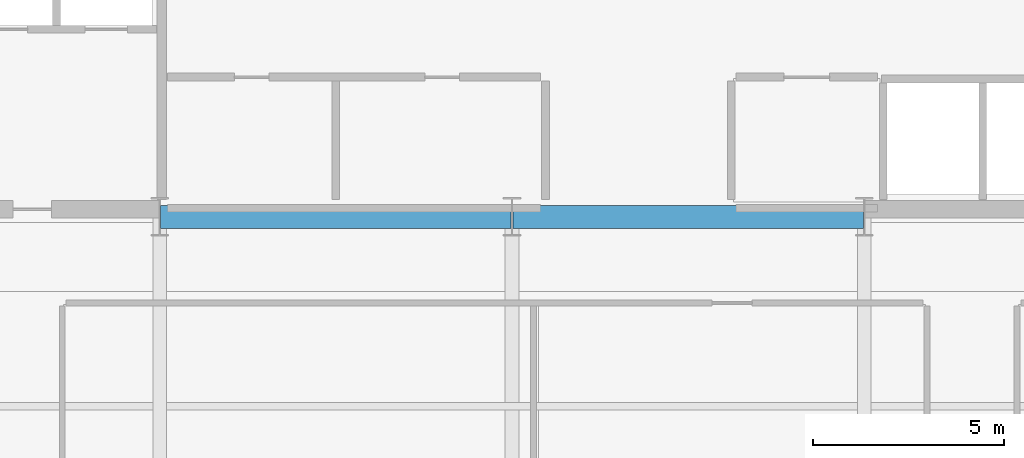
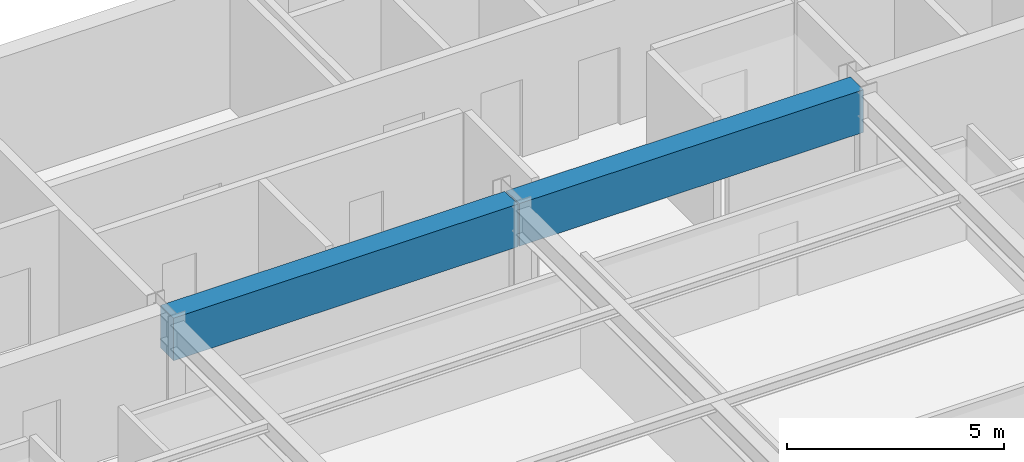
# One storey, part 23 of 32: 2 beams.
"""IFC4 building model written with IfcOpenShell, lengths in metres."""

from ifc_helpers import new_model, si_unit, direction, frame, origin, origin_2d, place, context, subcontext, project, spatial, rectangle, extrude, source, transform, mapped, material, material_profile, profile_set, type_object, type_shapes, element, save


model = new_model("IFC4")

# Units and contexts
model_context = context("Model", 3, precision=1e-05, world=origin(), true_north=direction((0.0, 1.0)))
body_context = subcontext(model_context, "Body", "Model", "MODEL_VIEW")
ifc_project = project(units=[si_unit("LENGTHUNIT", "METRE"), si_unit("AREAUNIT", "SQUARE_METRE"), si_unit("VOLUMEUNIT", "CUBIC_METRE"), si_unit("PLANEANGLEUNIT", "RADIAN"), si_unit("MASSUNIT", "GRAM", prefix="KILO")], contexts=[model_context])

# Site, building, storey
site_placement = place(None, origin())
site = spatial("IfcSite", under=ifc_project, at=site_placement, CompositionType="ELEMENT")
building_placement = place(site_placement, origin())
building = spatial("IfcBuilding", under=site, at=building_placement, Name="Varnel Quay Broadcast Tower", CompositionType="ELEMENT")
storey_placement = place(building_placement, frame((0.0, 0.0, 133.39990234375)))
storey = spatial("IfcBuildingStorey", under=building, at=storey_placement, Name="L32", CompositionType="ELEMENT", Elevation=133.39990234375)

# Beams
ifc_material = material(Name="Concrete CSA A23.3 C60/75", Category="concrete")
ifc_material_profile = material_profile(ifc_material, rectangle(XDim=0.60009765625, YDim=1.199951171875, at=origin_2d()), Name="RC600X1200")
ifc_profile_set = profile_set([ifc_material_profile], Name="Concrete CSA A23.3 C60/75")
beam_type = type_object("IfcBeamType", Name="Beam_RC600X1200", PredefinedType="BEAM", material=ifc_profile_set)
shared_shape = source(origin(), body_context, "Body", "SweptSolid", [
    extrude(rectangle(XDim=0.60009765625, YDim=1.199951171875, at=origin_2d()), origin(), (0.0, 0.0, 1.0), 9.159912109375),
])
type_shapes(beam_type, [shared_shape])
for number, where, z_axis, x_axis, name in (
    (1, (24.820068359375, 35.60009765625, 2.9501953125), (1.0, 0.0, 0.0), (0.0, 1.0, 0.0), "L32 Core Coupling Beam W"),
    (2, (34.02001953125, 35.60009765625, 2.9501953125), (1.0, 0.0, 0.0), (0.0, 1.0, 0.0), "L32 Core Coupling Beam E"),
):
    element("IfcBeam", number, at=place(storey_placement, frame(where, z_axis=z_axis, x_axis=x_axis)), inside=storey, type_object=beam_type, Name=name, PredefinedType="BEAM", context=body_context, shape_type="MappedRepresentation", body=[
        mapped(shared_shape, transform((0.0, 0.0, 0.0), x_axis=(1.0, 0.0, 0.0), y_axis=(0.0, 1.0, 0.0), z_axis=(0.0, 0.0, 1.0), scale=1.0)),
    ])

save(model, "model.ifc")
